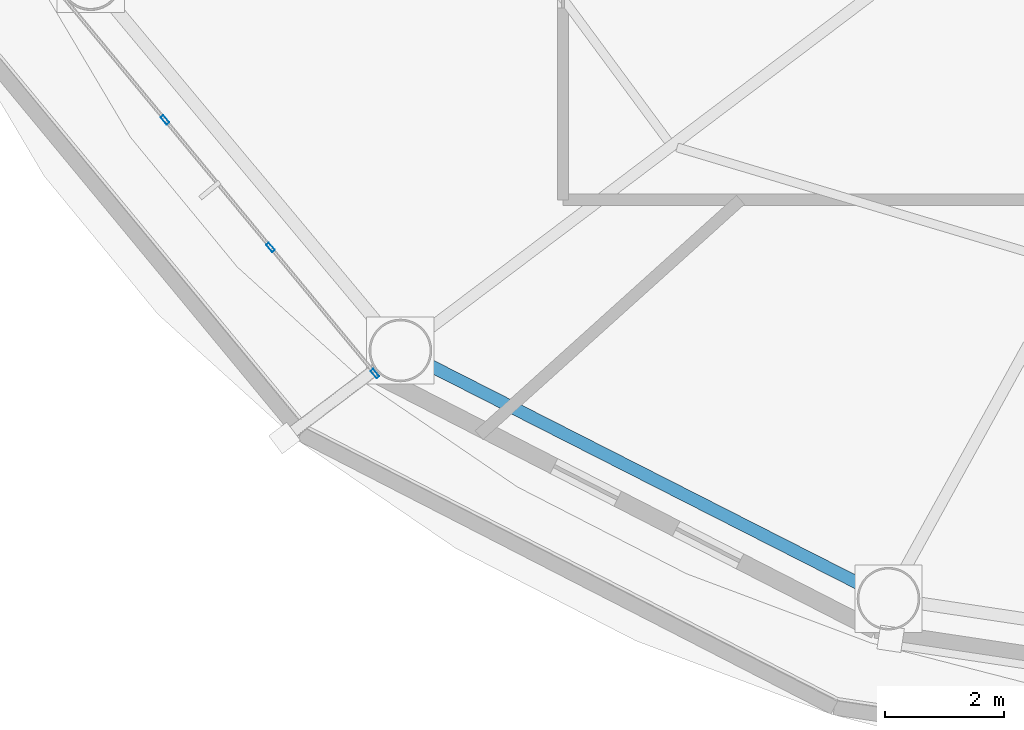
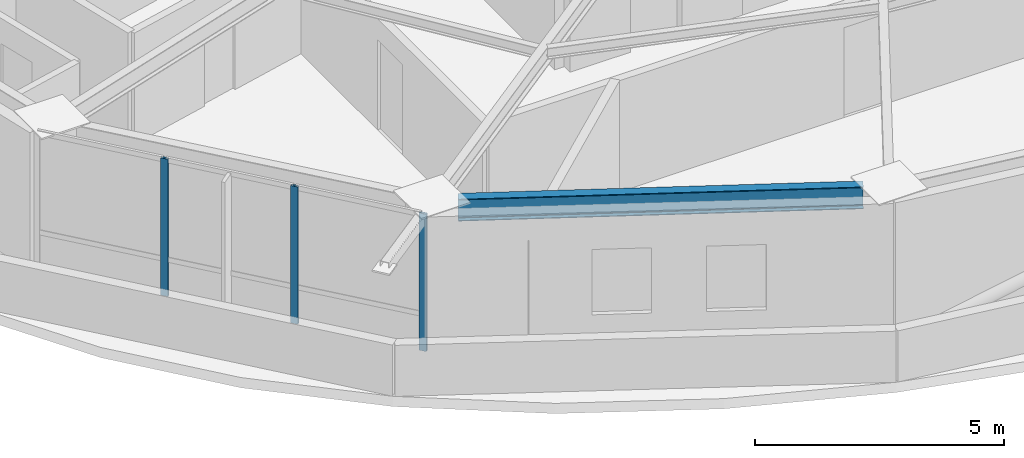
# One storey, part 2 of 22: 3 members, 1 beam, 1 element without a shape of its own.
"""IFC4 building model written with IfcOpenShell, lengths in metres."""

from ifc_helpers import new_model, si_unit, direction, frame, origin, origin_2d, place, context, subcontext, project, spatial, hollow_rectangle, i_section, extrude, material, layer, layer_set, material_profile, profile_set, type_object, element, aggregate, save


model = new_model("IFC4")

# Units and contexts
model_context = context("Model", 3, precision=1e-05, world=origin(), true_north=direction((0.0, 1.0)))
body_context = subcontext(model_context, "Body", "Model", "MODEL_VIEW")
ifc_project = project(units=[si_unit("LENGTHUNIT", "METRE"), si_unit("AREAUNIT", "SQUARE_METRE"), si_unit("VOLUMEUNIT", "CUBIC_METRE"), si_unit("PLANEANGLEUNIT", "RADIAN"), si_unit("MASSUNIT", "GRAM", prefix="KILO")], contexts=[model_context])

# Site, building, storey
site_placement = place(None, origin())
site = spatial("IfcSite", under=ifc_project, at=site_placement, CompositionType="ELEMENT")
building_placement = place(site_placement, origin())
building = spatial("IfcBuilding", under=site, at=building_placement, Name="Sarneth Arch Tower", CompositionType="ELEMENT")
storey_placement = place(building_placement, frame((0.0, 0.0, 206.39990234375)))
storey = spatial("IfcBuildingStorey", under=building, at=storey_placement, Name="L52", CompositionType="ELEMENT", Elevation=206.39990234375)

# Beam
ifc_material_1 = material(Name="Steel S355", Category="steel")
ifc_material_profile_1 = material_profile(ifc_material_1, i_section(OverallWidth=0.2109375, OverallDepth=0.5390625, WebThickness=0.01171875, FlangeThickness=0.018798828125, FilletRadius=0.01806640625, at=origin_2d()), Name="W530x109")
ifc_profile_set_1 = profile_set([ifc_material_profile_1], Name="Steel S355")
beam_type = type_object("IfcBeamType", Name="BM-RAD-530B", PredefinedType="BEAM", material=ifc_profile_set_1)
beam_placement = place(storey_placement, frame((30.49267578125, 28.185546875, 3.090576171875), z_axis=(0.891368271482, -0.453279830342, 0.0), x_axis=(0.453279830342, 0.891368271482, 0.0)))
element("IfcBeam", 1, at=beam_placement, inside=storey, type_object=beam_type, Name="L52 Perimeter spandrel beam 11", PredefinedType="BEAM", context=body_context, shape_type="SweptSolid", body=[
    extrude(i_section(OverallWidth=0.2109375, OverallDepth=0.5390625, WebThickness=0.01171875, FlangeThickness=0.018798828125, FilletRadius=0.01806640625, at=origin_2d()), origin(), (0.0, 0.0, 1.0), 8.1318359375),
])

# Curtain wall, members
ifc_material_2 = material(Name="Anodised aluminium Type AA25 and solar-control low-e laminated IGU", Category="aluminium")
ifc_layer = layer(ifc_material_2, 0.179931640625)
ifc_layer_set = layer_set([ifc_layer], Name="Anodised aluminium Type AA25 and solar-control low-e laminated IGU")
curtain_wall_type = type_object("IfcCurtainWallType", Name="CW-RES-HIGH", PredefinedType="NOTDEFINED", material=ifc_layer_set)
curtain_wall_placement = place(storey_placement, origin())
curtain_wall = element("IfcCurtainWall", 2, at=curtain_wall_placement, inside=storey, type_object=curtain_wall_type, Name="L52 Unitised curtain wall facet 10", PredefinedType="NOTDEFINED")
ifc_material_3 = material(Name="Anodised Aluminium 6063-T6", Category="aluminium")
ifc_material_profile_2 = material_profile(ifc_material_3, hollow_rectangle(XDim=0.06005859375, YDim=0.159912109375, WallThickness=0.00390625, at=origin_2d()), Name="AL-MULL-160x60x4")
ifc_profile_set_2 = profile_set([ifc_material_profile_2], Name="Anodised Aluminium 6063-T6")
member_type = type_object("IfcMemberType", Name="CW-MULLION", PredefinedType="MULLION", material=ifc_profile_set_2)
member_1_placement = place(storey_placement, frame((26.07666015625, 32.29150390625, 0.0), z_axis=(0.0, 0.0, 1.0), x_axis=(0.770359245933, 0.637610094184, 0.0)))
member_1 = element("IfcMember", 3, at=member_1_placement, type_object=member_type, Name="CW-SYS-6 mullion 2", PredefinedType="MULLION", context=body_context, shape_type="SweptSolid", body=[
    extrude(hollow_rectangle(XDim=0.06005859375, YDim=0.159912109375, WallThickness=0.00390625, at=origin_2d()), origin(), (0.0, 0.0, 1.0), 3.360107421875),
])
member_2_placement = place(storey_placement, frame((27.84716796875, 30.15234375, 0.0), z_axis=(0.0, 0.0, 1.0), x_axis=(0.770359245933, 0.637610094184, 0.0)))
member_2 = element("IfcMember", 4, at=member_2_placement, type_object=member_type, Name="CW-SYS-6 mullion 3", PredefinedType="MULLION", context=body_context, shape_type="SweptSolid", body=[
    extrude(hollow_rectangle(XDim=0.06005859375, YDim=0.159912109375, WallThickness=0.00390625, at=origin_2d()), origin(), (0.0, 0.0, 1.0), 3.360107421875),
])
member_3_placement = place(storey_placement, frame((29.598388671875, 28.03662109375, 0.0), z_axis=(0.0, 0.0, 1.0), x_axis=(0.770359245933, 0.637610094184, 0.0)))
member_3 = element("IfcMember", 5, at=member_3_placement, type_object=member_type, Name="CW-SYS-6 mullion 4", PredefinedType="MULLION", context=body_context, shape_type="SweptSolid", body=[
    extrude(hollow_rectangle(XDim=0.06005859375, YDim=0.159912109375, WallThickness=0.00390625, at=origin_2d()), origin(), (0.0, 0.0, 1.0), 3.360107421875),
])
aggregate(curtain_wall, [member_1, member_2, member_3])

save(model, "model.ifc")
